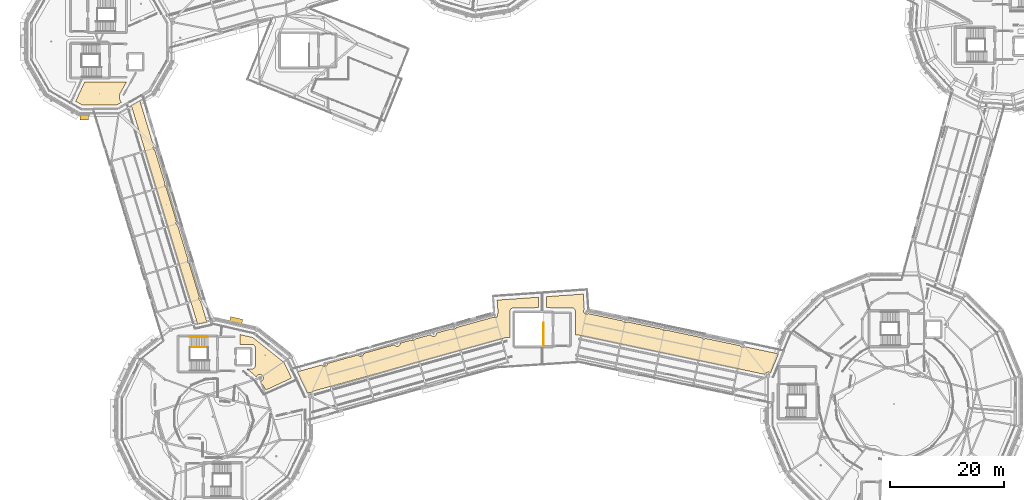
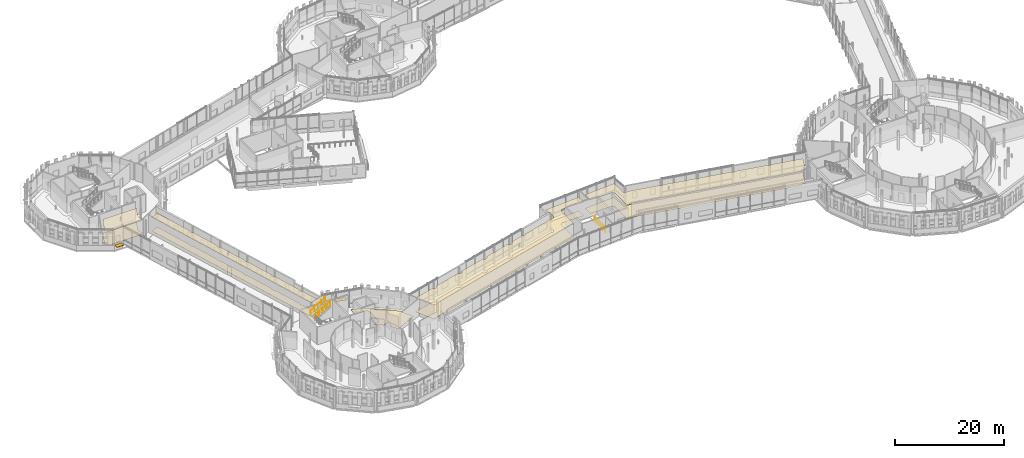
# One storey, part 119 of 125: 9 coverings, 3 railings, 2 shading devices.
"""IFC4 building model written with IfcOpenShell, lengths in metres."""

from ifc_helpers import new_model, si_unit, direction, frame, origin, origin_2d, place, context, subcontext, project, spatial, polyline, rectangle, circle, outline, extrude, material, layer, layer_set, type_object, element, save


model = new_model("IFC4")

# Units and contexts
model_context = context("Model", 3, precision=1e-05, world=origin(), true_north=direction((0.0, 1.0)))
body_context = subcontext(model_context, "Body", "Model", "MODEL_VIEW")
ifc_project = project(units=[si_unit("LENGTHUNIT", "METRE"), si_unit("AREAUNIT", "SQUARE_METRE"), si_unit("VOLUMEUNIT", "CUBIC_METRE"), si_unit("PLANEANGLEUNIT", "RADIAN"), si_unit("MASSUNIT", "GRAM", prefix="KILO")], contexts=[model_context])

# Site, building, storey
site_placement = place(None, origin())
site = spatial("IfcSite", under=ifc_project, at=site_placement, CompositionType="ELEMENT")
building_placement = place(site_placement, origin())
building = spatial("IfcBuilding", under=site, at=building_placement, Name="Wrenclough Park School", CompositionType="ELEMENT")
storey_placement = place(building_placement, frame((0.0, 0.0, 4.199951171875)))
storey = spatial("IfcBuildingStorey", under=building, at=storey_placement, Name="L01", CompositionType="ELEMENT", Elevation=4.199951171875)

# Shading devices
ifc_material_1 = material(Name="Anodised extruded aluminium solar louvre", Category="aluminium")
ifc_layer_1 = layer(ifc_material_1, 0.06005859375)
ifc_layer_set_1 = layer_set([ifc_layer_1], Name="Anodised extruded aluminium solar louvre")
shading_device_type = type_object("IfcShadingDeviceType", Name="ENV-SL-02", PredefinedType="JALOUSIE", material=ifc_layer_set_1)
shading_device_1_placement = place(storey_placement, frame((40.414794921875, 40.652587890625, 1.030029296875), z_axis=(0.0, 0.0, 1.0), x_axis=(-0.974926809846, 0.222525763552, 0.0)))
element("IfcShadingDevice", 1, at=shading_device_1_placement, inside=storey, type_object=shading_device_type, Name="D2 L01 sun-side aluminium solar louvre 017", PredefinedType="JALOUSIE", context=body_context, shape_type="SweptSolid", body=[
    extrude(rectangle(XDim=2.199951171875, YDim=0.8798828125, at=origin_2d()), origin(), (0.0, 0.0, 1.0), 0.06005859375),
])
shading_device_2_placement = place(storey_placement, frame((13.85595703125, 76.123291015625, 1.030029296875), z_axis=(0.0, 0.0, 1.0), x_axis=(1.0, 0.0, 0.0)))
element("IfcShadingDevice", 2, at=shading_device_2_placement, inside=storey, type_object=shading_device_type, Name="D3 L01 sun-side aluminium solar louvre 023", PredefinedType="JALOUSIE", context=body_context, shape_type="SweptSolid", body=[
    extrude(rectangle(XDim=1.451416015625, YDim=0.8798828125, at=origin_2d()), origin(), (0.0, 0.0, 1.0), 0.06005859375),
])

# Coverings
ifc_material_2 = material(Name="Class A mineral-fibre acoustic ceiling raft", Category="gypsum")
ifc_layer_2 = layer(ifc_material_2, 0.044921875)
ifc_layer_set_2 = layer_set([ifc_layer_2], Name="Class A mineral-fibre acoustic ceiling raft")
covering_type_1 = type_object("IfcCoveringType", Name="INT-COV-CEIL", PredefinedType="CEILING", material=ifc_layer_set_2)
covering_1_placement = place(storey_placement, frame((0.0, 0.0, 3.054931640625)))
element("IfcCovering", 3, at=covering_1_placement, inside=storey, type_object=covering_type_1, Name="Electronics Science Laboratory acoustic ceiling raft", PredefinedType="CEILING", context=body_context, shape_type="SweptSolid", body=[
    extrude(outline(polyline([(21.211669921875, 82.330078125), (13.89599609375, 82.330078125), (12.34130859375, 78.996337890625), (13.505615234375, 78.32421875), (19.494384765625, 78.32421875), (20.329833984375, 78.806396484375), (20.28125, 78.881103515625), (20.1171875, 79.189453125), (20.09228515625, 79.263671875), (20.025634765625, 79.525390625), (20.0068359375, 79.78076171875), (20.006591796875, 79.8564453125), (20.015380859375, 79.931884765625), (20.07861328125, 80.27001953125), (20.10302734375, 80.3388671875), (20.135009765625, 80.404541015625), (21.211669921875, 82.330078125)])), origin(), (0.0, 0.0, 1.0), 0.045166015625),
])
covering_2_placement = place(storey_placement, frame((0.0, 0.0, 3.054931640625)))
element("IfcCovering", 4, at=covering_2_placement, inside=storey, type_object=covering_type_1, Name="Drama Tutorial Classroom acoustic ceiling raft", PredefinedType="CEILING", context=body_context, shape_type="SweptSolid", body=[
    extrude(outline(polyline([(88.282470703125, 37.652099609375), (88.330078125, 37.64111328125), (88.330078125, 42.219970703125), (88.342529296875, 42.3466796875), (88.35791015625, 42.40869140625), (88.37939453125, 42.46875), (88.439453125, 42.5810546875), (88.4775390625, 42.63232421875), (88.567626953125, 42.722412109375), (88.673583984375, 42.793212890625), (88.791259765625, 42.842041015625), (88.916259765625, 42.866943359375), (93.35009765625, 42.8701171875), (93.35009765625, 44.71826171875), (86.081298828125, 44.209716796875), (86.225830078125, 42.142578125), (86.226806640625, 42.068603515625), (86.21923828125, 41.994873046875), (86.20361328125, 41.922607421875), (86.164794921875, 41.78515625), (86.182373046875, 41.6943359375), (86.182373046875, 41.591552734375), (86.1748046875, 41.54052734375), (86.14501953125, 41.442138671875), (86.096435546875, 41.351318359375), (86.031005859375, 41.27197265625), (85.95166015625, 41.20654296875), (85.86083984375, 41.158203125), (85.812255859375, 41.140869140625), (85.71142578125, 41.12060546875), (85.608642578125, 41.12060546875), (85.5078125, 41.140869140625), (85.459228515625, 41.158203125), (85.376708984375, 41.20166015625), (78.94189453125, 39.410888671875), (78.877685546875, 39.31005859375), (78.804931640625, 39.2373046875), (78.719482421875, 39.18017578125), (78.624267578125, 39.140869140625), (78.5234375, 39.12060546875), (78.420654296875, 39.12060546875), (78.319580078125, 39.140869140625), (78.271240234375, 39.158203125), (78.189208984375, 39.201416015625), (75.474853515625, 38.446044921875), (75.478759765625, 38.385009765625), (75.46875, 38.28271484375), (75.43896484375, 38.18408203125), (75.390380859375, 38.093505859375), (75.3251953125, 38.013916015625), (75.286865234375, 37.979248046875), (75.201416015625, 37.922119140625), (75.106201171875, 37.8828125), (75.00537109375, 37.86279296875), (74.902587890625, 37.86279296875), (74.8017578125, 37.8828125), (74.753173828125, 37.900146484375), (74.662353515625, 37.948486328125), (74.5830078125, 38.013916015625), (74.517578125, 38.093505859375), (74.476806640625, 38.168212890625), (71.7548828125, 37.410888671875), (71.690673828125, 37.31005859375), (71.617919921875, 37.2373046875), (71.532470703125, 37.18017578125), (71.437255859375, 37.140869140625), (71.33642578125, 37.12060546875), (71.233642578125, 37.12060546875), (71.1328125, 37.140869140625), (71.084228515625, 37.158203125), (71.002197265625, 37.201416015625), (69.113525390625, 36.67578125), (69.11328125, 36.57861328125), (69.09326171875, 36.477783203125), (69.0537109375, 36.382568359375), (69.02734375, 36.33837890625), (68.962158203125, 36.2587890625), (68.923828125, 36.224365234375), (68.83837890625, 36.167236328125), (68.743408203125, 36.127685546875), (68.642333984375, 36.107666015625), (68.53955078125, 36.107666015625), (68.438720703125, 36.127685546875), (68.39013671875, 36.14501953125), (68.29931640625, 36.193603515625), (68.219970703125, 36.2587890625), (68.154541015625, 36.33837890625), (68.120361328125, 36.3994140625), (62.752197265625, 34.905517578125), (62.751220703125, 34.823486328125), (62.731201171875, 34.72265625), (62.69189453125, 34.627685546875), (62.665283203125, 34.58349609375), (62.634765625, 34.5419921875), (62.56201171875, 34.46923828125), (62.476318359375, 34.412109375), (62.38134765625, 34.372802734375), (62.280517578125, 34.352783203125), (62.177490234375, 34.352783203125), (62.07666015625, 34.372802734375), (62.0283203125, 34.39013671875), (61.9375, 34.438720703125), (61.85791015625, 34.50390625), (61.79248046875, 34.58349609375), (61.764892578125, 34.630615234375), (56.39013671875, 33.134765625), (56.38818359375, 33.068603515625), (56.3681640625, 32.9677734375), (56.328857421875, 32.87255859375), (56.302490234375, 32.828369140625), (56.271728515625, 32.787109375), (56.198974609375, 32.71435546875), (56.11328125, 32.6572265625), (56.018310546875, 32.617919921875), (55.91748046875, 32.59765625), (55.814697265625, 32.59765625), (55.713623046875, 32.617919921875), (55.665283203125, 32.635009765625), (55.61865234375, 32.6572265625), (55.533203125, 32.71435546875), (55.460205078125, 32.787109375), (55.409423828125, 32.862060546875), (51.088134765625, 31.659423828125), (52.890869140625, 27.91650390625), (52.978515625, 27.972900390625), (53.04248046875, 28.003173828125), (53.177490234375, 28.044189453125), (53.318115234375, 28.05810546875), (53.388671875, 28.054443359375), (53.485595703125, 28.037353515625), (53.7041015625, 28.17724609375), (54.022705078125, 28.30322265625), (87.60693359375, 37.64404296875), (87.666748046875, 37.65771484375), (87.7890625, 37.66796875), (88.17041015625, 37.6630859375), (88.282470703125, 37.652099609375)])), origin(), (0.0, 0.0, 1.0), 0.045166015625),
])
covering_3_placement = place(storey_placement, frame((0.0, 0.0, 3.054931640625)))
element("IfcCovering", 5, at=covering_3_placement, inside=storey, type_object=covering_type_1, Name="Music Group Studio acoustic ceiling raft", PredefinedType="CEILING", context=body_context, shape_type="SweptSolid", body=[
    extrude(outline(polyline([(99.77001953125, 42.219970703125), (99.77001953125, 38.04833984375), (99.845703125, 38.067626953125), (99.972412109375, 38.078125), (100.35400390625, 38.07275390625), (100.47900390625, 38.058837890625), (132.844970703125, 31.21728515625), (132.92431640625, 31.3369140625), (133.024169921875, 31.4365234375), (133.1416015625, 31.514892578125), (133.20556640625, 31.545166015625), (133.340576171875, 31.586181640625), (133.48095703125, 31.60009765625), (133.62158203125, 31.586181640625), (133.756591796875, 31.545166015625), (133.8203125, 31.514892578125), (133.920166015625, 31.44970703125), (135.309326171875, 34.80517578125), (129.365234375, 36.061767578125), (129.2568359375, 36.0), (129.158447265625, 35.97021484375), (129.055908203125, 35.960205078125), (128.95361328125, 35.97021484375), (128.855224609375, 36.0), (128.764404296875, 36.048583984375), (128.684814453125, 36.114013671875), (128.650390625, 36.152099609375), (128.601806640625, 36.22314453125), (122.53271484375, 37.506103515625), (122.423828125, 37.444091796875), (122.325439453125, 37.414306640625), (122.222900390625, 37.404296875), (122.12060546875, 37.414306640625), (122.022216796875, 37.444091796875), (121.931396484375, 37.49267578125), (121.851806640625, 37.557861328125), (121.8173828125, 37.59619140625), (121.7685546875, 37.66748046875), (115.697998046875, 38.95068359375), (115.58984375, 38.88916015625), (115.491455078125, 38.859375), (115.388916015625, 38.84912109375), (115.28662109375, 38.859375), (115.188232421875, 38.88916015625), (115.097412109375, 38.9375), (115.017822265625, 39.0029296875), (114.9833984375, 39.041015625), (114.934814453125, 39.112060546875), (108.865478515625, 40.39501953125), (108.7568359375, 40.3330078125), (108.658447265625, 40.30322265625), (108.555908203125, 40.293212890625), (108.45361328125, 40.30322265625), (108.355224609375, 40.3330078125), (108.264404296875, 40.381591796875), (108.184814453125, 40.447021484375), (108.150390625, 40.485107421875), (108.101806640625, 40.556396484375), (102.03173828125, 41.83935546875), (101.923828125, 41.778076171875), (101.825439453125, 41.748291015625), (101.7744140625, 41.74072265625), (101.671630859375, 41.74072265625), (101.57080078125, 41.7607421875), (101.4755859375, 41.80029296875), (101.431396484375, 41.82666015625), (101.351806640625, 41.891845703125), (101.3173828125, 41.93017578125), (101.26025390625, 42.015625), (101.238037109375, 42.062255859375), (101.208251953125, 42.16064453125), (101.20068359375, 42.211669921875), (101.20068359375, 42.314453125), (101.220703125, 42.415283203125), (101.26025390625, 42.510498046875), (101.330322265625, 42.6103515625), (101.144287109375, 45.26318359375), (94.75, 44.816162109375), (94.75, 42.8701171875), (99.18359375, 42.866943359375), (99.30859375, 42.842041015625), (99.426513671875, 42.793212890625), (99.532470703125, 42.722412109375), (99.62255859375, 42.63232421875), (99.693115234375, 42.5263671875), (99.741943359375, 42.40869140625), (99.757568359375, 42.3466796875), (99.77001953125, 42.219970703125)])), origin(), (0.0, 0.0, 1.0), 0.045166015625),
])
covering_4_placement = place(storey_placement, frame((0.0, 0.0, 3.054931640625)))
element("IfcCovering", 6, at=covering_4_placement, inside=storey, type_object=covering_type_1, Name="Design Tutorial Studio L01 acoustic ceiling raft", PredefinedType="CEILING", context=body_context, shape_type="SweptSolid", body=[
    extrude(outline(polyline([(33.681884765625, 39.9697265625), (35.314697265625, 40.34228515625), (34.201904296875, 44.01416015625), (34.13232421875, 44.052490234375), (34.091064453125, 44.083251953125), (34.018310546875, 44.156005859375), (33.961181640625, 44.24169921875), (33.921875, 44.336669921875), (33.901611328125, 44.4375), (33.901611328125, 44.540283203125), (33.921875, 44.641357421875), (33.939208984375, 44.689697265625), (33.975830078125, 44.7607421875), (32.201904296875, 50.614013671875), (32.13232421875, 50.652587890625), (32.091064453125, 50.683349609375), (32.018310546875, 50.756103515625), (31.961181640625, 50.841552734375), (31.921875, 50.936767578125), (31.901611328125, 51.03759765625), (31.901611328125, 51.140380859375), (31.921875, 51.2412109375), (31.939208984375, 51.289794921875), (31.975830078125, 51.36083984375), (30.201904296875, 57.214111328125), (30.13232421875, 57.252685546875), (30.091064453125, 57.283203125), (30.018310546875, 57.356201171875), (29.961181640625, 57.441650390625), (29.921875, 57.53662109375), (29.901611328125, 57.6376953125), (29.901611328125, 57.740478515625), (29.921875, 57.84130859375), (29.939208984375, 57.889892578125), (29.975830078125, 57.960693359375), (28.201904296875, 63.814208984375), (28.13232421875, 63.8525390625), (28.091064453125, 63.88330078125), (28.018310546875, 63.9560546875), (27.961181640625, 64.04150390625), (27.921875, 64.13671875), (27.901611328125, 64.237548828125), (27.901611328125, 64.34033203125), (27.921875, 64.44140625), (27.939208984375, 64.48974609375), (27.975830078125, 64.560791015625), (26.201904296875, 70.414306640625), (26.13232421875, 70.45263671875), (26.091064453125, 70.4833984375), (26.018310546875, 70.55615234375), (25.961181640625, 70.6416015625), (25.921875, 70.73681640625), (25.901611328125, 70.837646484375), (25.901611328125, 70.9404296875), (25.921875, 71.041259765625), (25.939208984375, 71.08984375), (25.975830078125, 71.160888671875), (23.565185546875, 79.115478515625), (22.076416015625, 78.256103515625), (33.681884765625, 39.9697265625)])), origin(), (0.0, 0.0, 1.0), 0.045166015625),
])
ifc_material_3 = material(Name="Acoustic natural linoleum school flooring", Category="wood")
ifc_layer_3 = layer(ifc_material_3, 0.014892578125)
ifc_layer_set_3 = layer_set([ifc_layer_3], Name="Acoustic natural linoleum school flooring")
covering_type_2 = type_object("IfcCoveringType", Name="INT-COV-FLOOR1", PredefinedType="FLOORING", material=ifc_layer_set_3)
covering_5_placement = place(storey_placement, origin())
element("IfcCovering", 7, at=covering_5_placement, inside=storey, type_object=covering_type_2, Name="Performing Arts Staff Office floor finish", PredefinedType="FLOORING", context=body_context, shape_type="SweptSolid", body=[
    extrude(outline(polyline([(43.1201171875, 32.1298828125), (42.274169921875, 32.1298828125), (42.819580078125, 31.758056640625), (43.314208984375, 31.35498046875), (43.81689453125, 30.888916015625), (43.977783203125, 30.72021484375), (44.0087890625, 30.820068359375), (44.0341796875, 30.873779296875), (44.100341796875, 30.97265625), (44.140380859375, 31.0166015625), (44.184326171875, 31.056640625), (44.283203125, 31.122802734375), (44.3369140625, 31.148193359375), (44.45068359375, 31.1826171875), (44.569091796875, 31.1943359375), (44.62841796875, 31.19140625), (44.687255859375, 31.1826171875), (44.801025390625, 31.148193359375), (44.90576171875, 31.092041015625), (44.95361328125, 31.056640625), (45.03759765625, 30.97265625), (45.072998046875, 30.9248046875), (45.129150390625, 30.820068359375), (45.163818359375, 30.706298828125), (45.17236328125, 30.6474609375), (45.17236328125, 30.528564453125), (45.163818359375, 30.4697265625), (45.129150390625, 30.35595703125), (45.103759765625, 30.30224609375), (45.03759765625, 30.203369140625), (44.997802734375, 30.1591796875), (44.90576171875, 30.083984375), (44.854736328125, 30.05322265625), (44.7451171875, 30.0078125), (44.623291015625, 29.984375), (44.780517578125, 29.790283203125), (45.17431640625, 29.235107421875), (45.509765625, 28.6923828125), (45.6259765625, 28.472900390625), (50.1162109375, 30.56640625), (48.796630859375, 33.306396484375), (43.32421875, 37.670654296875), (41.046630859375, 38.1904296875), (41.06689453125, 38.083740234375), (41.070068359375, 38.02001953125), (41.070068359375, 36.469970703125), (43.1201171875, 36.469970703125), (43.246826171875, 36.45751953125), (43.30859375, 36.44189453125), (43.426513671875, 36.393310546875), (43.532470703125, 36.322509765625), (43.57958984375, 36.279541015625), (43.62255859375, 36.232421875), (43.693115234375, 36.12646484375), (43.741943359375, 36.0087890625), (43.766845703125, 35.8837890625), (43.77001953125, 35.820068359375), (43.77001953125, 32.780029296875), (43.757568359375, 32.6533203125), (43.720458984375, 32.53125), (43.693115234375, 32.4736328125), (43.62255859375, 32.36767578125), (43.532470703125, 32.277587890625), (43.426513671875, 32.206787109375), (43.36865234375, 32.179443359375), (43.246826171875, 32.142578125), (43.1201171875, 32.1298828125)])), origin(), (0.0, 0.0, 1.0), 0.01513671875),
])
covering_6_placement = place(storey_placement, origin())
element("IfcCovering", 8, at=covering_6_placement, inside=storey, type_object=covering_type_2, Name="Electronics Science Laboratory floor finish", PredefinedType="FLOORING", context=body_context, shape_type="SweptSolid", body=[
    extrude(outline(polyline([(21.211669921875, 82.330078125), (13.89599609375, 82.330078125), (12.34130859375, 78.996337890625), (13.505615234375, 78.32421875), (19.494384765625, 78.32421875), (20.329833984375, 78.806396484375), (20.28125, 78.881103515625), (20.1171875, 79.189453125), (20.09228515625, 79.263671875), (20.025634765625, 79.525390625), (20.0068359375, 79.78076171875), (20.006591796875, 79.8564453125), (20.015380859375, 79.931884765625), (20.07861328125, 80.27001953125), (20.10302734375, 80.3388671875), (20.135009765625, 80.404541015625), (21.211669921875, 82.330078125)])), origin(), (0.0, 0.0, 1.0), 0.01513671875),
])
covering_7_placement = place(storey_placement, origin())
element("IfcCovering", 9, at=covering_7_placement, inside=storey, type_object=covering_type_2, Name="Drama Tutorial Classroom floor finish", PredefinedType="FLOORING", context=body_context, shape_type="SweptSolid", body=[
    extrude(outline(polyline([(88.282470703125, 37.652099609375), (88.330078125, 37.64111328125), (88.330078125, 42.219970703125), (88.342529296875, 42.3466796875), (88.35791015625, 42.40869140625), (88.37939453125, 42.46875), (88.439453125, 42.5810546875), (88.4775390625, 42.63232421875), (88.567626953125, 42.722412109375), (88.673583984375, 42.793212890625), (88.791259765625, 42.842041015625), (88.916259765625, 42.866943359375), (93.35009765625, 42.8701171875), (93.35009765625, 44.71826171875), (86.081298828125, 44.209716796875), (86.225830078125, 42.142578125), (86.226806640625, 42.068603515625), (86.21923828125, 41.994873046875), (86.20361328125, 41.922607421875), (86.164794921875, 41.78515625), (86.182373046875, 41.6943359375), (86.182373046875, 41.591552734375), (86.1748046875, 41.54052734375), (86.14501953125, 41.442138671875), (86.096435546875, 41.351318359375), (86.031005859375, 41.27197265625), (85.95166015625, 41.20654296875), (85.86083984375, 41.158203125), (85.812255859375, 41.140869140625), (85.71142578125, 41.12060546875), (85.608642578125, 41.12060546875), (85.5078125, 41.140869140625), (85.459228515625, 41.158203125), (85.376708984375, 41.20166015625), (78.94189453125, 39.410888671875), (78.877685546875, 39.31005859375), (78.804931640625, 39.2373046875), (78.719482421875, 39.18017578125), (78.624267578125, 39.140869140625), (78.5234375, 39.12060546875), (78.420654296875, 39.12060546875), (78.319580078125, 39.140869140625), (78.271240234375, 39.158203125), (78.189208984375, 39.201416015625), (75.474853515625, 38.446044921875), (75.478759765625, 38.385009765625), (75.46875, 38.28271484375), (75.43896484375, 38.18408203125), (75.390380859375, 38.093505859375), (75.3251953125, 38.013916015625), (75.286865234375, 37.979248046875), (75.201416015625, 37.922119140625), (75.106201171875, 37.8828125), (75.00537109375, 37.86279296875), (74.902587890625, 37.86279296875), (74.8017578125, 37.8828125), (74.753173828125, 37.900146484375), (74.662353515625, 37.948486328125), (74.5830078125, 38.013916015625), (74.517578125, 38.093505859375), (74.476806640625, 38.168212890625), (71.7548828125, 37.410888671875), (71.690673828125, 37.31005859375), (71.617919921875, 37.2373046875), (71.532470703125, 37.18017578125), (71.437255859375, 37.140869140625), (71.33642578125, 37.12060546875), (71.233642578125, 37.12060546875), (71.1328125, 37.140869140625), (71.084228515625, 37.158203125), (71.002197265625, 37.201416015625), (69.113525390625, 36.67578125), (69.11328125, 36.57861328125), (69.09326171875, 36.477783203125), (69.0537109375, 36.382568359375), (69.02734375, 36.33837890625), (68.962158203125, 36.2587890625), (68.923828125, 36.224365234375), (68.83837890625, 36.167236328125), (68.743408203125, 36.127685546875), (68.642333984375, 36.107666015625), (68.53955078125, 36.107666015625), (68.438720703125, 36.127685546875), (68.39013671875, 36.14501953125), (68.29931640625, 36.193603515625), (68.219970703125, 36.2587890625), (68.154541015625, 36.33837890625), (68.120361328125, 36.3994140625), (62.752197265625, 34.905517578125), (62.751220703125, 34.823486328125), (62.731201171875, 34.72265625), (62.69189453125, 34.627685546875), (62.665283203125, 34.58349609375), (62.634765625, 34.5419921875), (62.56201171875, 34.46923828125), (62.476318359375, 34.412109375), (62.38134765625, 34.372802734375), (62.280517578125, 34.352783203125), (62.177490234375, 34.352783203125), (62.07666015625, 34.372802734375), (62.0283203125, 34.39013671875), (61.9375, 34.438720703125), (61.85791015625, 34.50390625), (61.79248046875, 34.58349609375), (61.764892578125, 34.630615234375), (56.39013671875, 33.134765625), (56.38818359375, 33.068603515625), (56.3681640625, 32.9677734375), (56.328857421875, 32.87255859375), (56.302490234375, 32.828369140625), (56.271728515625, 32.787109375), (56.198974609375, 32.71435546875), (56.11328125, 32.6572265625), (56.018310546875, 32.617919921875), (55.91748046875, 32.59765625), (55.814697265625, 32.59765625), (55.713623046875, 32.617919921875), (55.665283203125, 32.635009765625), (55.61865234375, 32.6572265625), (55.533203125, 32.71435546875), (55.460205078125, 32.787109375), (55.409423828125, 32.862060546875), (51.088134765625, 31.659423828125), (52.890869140625, 27.91650390625), (52.978515625, 27.972900390625), (53.04248046875, 28.003173828125), (53.177490234375, 28.044189453125), (53.318115234375, 28.05810546875), (53.388671875, 28.054443359375), (53.485595703125, 28.037353515625), (53.7041015625, 28.17724609375), (54.022705078125, 28.30322265625), (87.60693359375, 37.64404296875), (87.666748046875, 37.65771484375), (87.7890625, 37.66796875), (88.17041015625, 37.6630859375), (88.282470703125, 37.652099609375)])), origin(), (0.0, 0.0, 1.0), 0.01513671875),
])
covering_8_placement = place(storey_placement, origin())
element("IfcCovering", 10, at=covering_8_placement, inside=storey, type_object=covering_type_2, Name="Music Group Studio floor finish", PredefinedType="FLOORING", context=body_context, shape_type="SweptSolid", body=[
    extrude(outline(polyline([(99.77001953125, 42.219970703125), (99.77001953125, 38.04833984375), (99.845703125, 38.067626953125), (99.972412109375, 38.078125), (100.35400390625, 38.07275390625), (100.47900390625, 38.058837890625), (132.844970703125, 31.21728515625), (132.92431640625, 31.3369140625), (133.024169921875, 31.4365234375), (133.1416015625, 31.514892578125), (133.20556640625, 31.545166015625), (133.340576171875, 31.586181640625), (133.48095703125, 31.60009765625), (133.62158203125, 31.586181640625), (133.756591796875, 31.545166015625), (133.8203125, 31.514892578125), (133.920166015625, 31.44970703125), (135.309326171875, 34.80517578125), (129.365234375, 36.061767578125), (129.2568359375, 36.0), (129.158447265625, 35.97021484375), (129.055908203125, 35.960205078125), (128.95361328125, 35.97021484375), (128.855224609375, 36.0), (128.764404296875, 36.048583984375), (128.684814453125, 36.114013671875), (128.650390625, 36.152099609375), (128.601806640625, 36.22314453125), (122.53271484375, 37.506103515625), (122.423828125, 37.444091796875), (122.325439453125, 37.414306640625), (122.222900390625, 37.404296875), (122.12060546875, 37.414306640625), (122.022216796875, 37.444091796875), (121.931396484375, 37.49267578125), (121.851806640625, 37.557861328125), (121.8173828125, 37.59619140625), (121.7685546875, 37.66748046875), (115.697998046875, 38.95068359375), (115.58984375, 38.88916015625), (115.491455078125, 38.859375), (115.388916015625, 38.84912109375), (115.28662109375, 38.859375), (115.188232421875, 38.88916015625), (115.097412109375, 38.9375), (115.017822265625, 39.0029296875), (114.9833984375, 39.041015625), (114.934814453125, 39.112060546875), (108.865478515625, 40.39501953125), (108.7568359375, 40.3330078125), (108.658447265625, 40.30322265625), (108.555908203125, 40.293212890625), (108.45361328125, 40.30322265625), (108.355224609375, 40.3330078125), (108.264404296875, 40.381591796875), (108.184814453125, 40.447021484375), (108.150390625, 40.485107421875), (108.101806640625, 40.556396484375), (102.03173828125, 41.83935546875), (101.923828125, 41.778076171875), (101.825439453125, 41.748291015625), (101.7744140625, 41.74072265625), (101.671630859375, 41.74072265625), (101.57080078125, 41.7607421875), (101.4755859375, 41.80029296875), (101.431396484375, 41.82666015625), (101.351806640625, 41.891845703125), (101.3173828125, 41.93017578125), (101.26025390625, 42.015625), (101.238037109375, 42.062255859375), (101.208251953125, 42.16064453125), (101.20068359375, 42.211669921875), (101.20068359375, 42.314453125), (101.220703125, 42.415283203125), (101.26025390625, 42.510498046875), (101.330322265625, 42.6103515625), (101.144287109375, 45.26318359375), (94.75, 44.816162109375), (94.75, 42.8701171875), (99.18359375, 42.866943359375), (99.30859375, 42.842041015625), (99.426513671875, 42.793212890625), (99.532470703125, 42.722412109375), (99.62255859375, 42.63232421875), (99.693115234375, 42.5263671875), (99.741943359375, 42.40869140625), (99.757568359375, 42.3466796875), (99.77001953125, 42.219970703125)])), origin(), (0.0, 0.0, 1.0), 0.01513671875),
])
covering_9_placement = place(storey_placement, origin())
element("IfcCovering", 11, at=covering_9_placement, inside=storey, type_object=covering_type_2, Name="Design Tutorial Studio L01 floor finish", PredefinedType="FLOORING", context=body_context, shape_type="SweptSolid", body=[
    extrude(outline(polyline([(33.681884765625, 39.9697265625), (35.314697265625, 40.34228515625), (34.201904296875, 44.01416015625), (34.13232421875, 44.052490234375), (34.091064453125, 44.083251953125), (34.018310546875, 44.156005859375), (33.961181640625, 44.24169921875), (33.921875, 44.336669921875), (33.901611328125, 44.4375), (33.901611328125, 44.540283203125), (33.921875, 44.641357421875), (33.939208984375, 44.689697265625), (33.975830078125, 44.7607421875), (32.201904296875, 50.614013671875), (32.13232421875, 50.652587890625), (32.091064453125, 50.683349609375), (32.018310546875, 50.756103515625), (31.961181640625, 50.841552734375), (31.921875, 50.936767578125), (31.901611328125, 51.03759765625), (31.901611328125, 51.140380859375), (31.921875, 51.2412109375), (31.939208984375, 51.289794921875), (31.975830078125, 51.36083984375), (30.201904296875, 57.214111328125), (30.13232421875, 57.252685546875), (30.091064453125, 57.283203125), (30.018310546875, 57.356201171875), (29.961181640625, 57.441650390625), (29.921875, 57.53662109375), (29.901611328125, 57.6376953125), (29.901611328125, 57.740478515625), (29.921875, 57.84130859375), (29.939208984375, 57.889892578125), (29.975830078125, 57.960693359375), (28.201904296875, 63.814208984375), (28.13232421875, 63.8525390625), (28.091064453125, 63.88330078125), (28.018310546875, 63.9560546875), (27.961181640625, 64.04150390625), (27.921875, 64.13671875), (27.901611328125, 64.237548828125), (27.901611328125, 64.34033203125), (27.921875, 64.44140625), (27.939208984375, 64.48974609375), (27.975830078125, 64.560791015625), (26.201904296875, 70.414306640625), (26.13232421875, 70.45263671875), (26.091064453125, 70.4833984375), (26.018310546875, 70.55615234375), (25.961181640625, 70.6416015625), (25.921875, 70.73681640625), (25.901611328125, 70.837646484375), (25.901611328125, 70.9404296875), (25.921875, 71.041259765625), (25.939208984375, 71.08984375), (25.975830078125, 71.160888671875), (23.565185546875, 79.115478515625), (22.076416015625, 78.256103515625), (33.681884765625, 39.9697265625)])), origin(), (0.0, 0.0, 1.0), 0.01513671875),
])

# Railings
ifc_material_4 = material(Name="Powder-coated steel vertical-baluster stair and atrium guard", Category="steel")
railing_type_1 = type_object("IfcRailingType", Name="INT-RL-GD1120", PredefinedType="GUARDRAIL", material=ifc_material_4)
railing_1_placement = place(storey_placement, frame((32.320068359375, 35.949951171875, 2.35205078125)))
element("IfcRailing", 12, at=railing_1_placement, inside=storey, type_object=railing_type_1, Name="ST-02 L01 well guard 4", PredefinedType="GUARDRAIL", context=body_context, shape_type="SweptSolid", body=[
    extrude(circle(Radius=0.02392578125, at=origin_2d()), frame((0.0, 0.0, 1.09619140625), z_axis=(0.861480291558, 0.0, 0.50779100746), x_axis=(0.0, 1.0, 0.0)), (0.0, 0.0, 1.0), 3.63916015625),
    extrude(circle(Radius=0.02099609375, at=origin_2d()), origin(), (0.0, 0.0, 1.0), 1.072021484375),
    extrude(circle(Radius=0.02099609375, at=origin_2d()), frame((0.78369140625, 0.0, 0.4619140625)), (0.0, 0.0, 1.0), 1.072021484375),
    extrude(circle(Radius=0.02099609375, at=origin_2d()), frame((1.5673828125, 0.0, 0.923828125)), (0.0, 0.0, 1.0), 1.072021484375),
    extrude(circle(Radius=0.02099609375, at=origin_2d()), frame((2.351318359375, 0.0, 1.385986328125)), (0.0, 0.0, 1.0), 1.072021484375),
    extrude(circle(Radius=0.02099609375, at=origin_2d()), frame((3.135009765625, 0.0, 1.847900390625)), (0.0, 0.0, 1.0), 1.072021484375),
])
railing_2_placement = place(storey_placement, frame((94.195068359375, 36.239990234375, 0.0)))
element("IfcRailing", 13, at=railing_2_placement, inside=storey, type_object=railing_type_1, Name="ST-10 L01 top landing guard", PredefinedType="GUARDRAIL", context=body_context, shape_type="SweptSolid", body=[
    extrude(circle(Radius=0.02392578125, at=origin_2d()), frame((0.0, 0.0, 1.09619140625), z_axis=(0.0, 1.0, 0.0), x_axis=(-1.0, 0.0, 0.0)), (0.0, 0.0, 1.0), 4.010009765625),
    extrude(circle(Radius=0.02099609375, at=origin_2d()), origin(), (0.0, 0.0, 1.0), 1.072021484375),
    extrude(circle(Radius=0.02099609375, at=origin_2d()), frame((0.0, 0.802001953125, 0.0)), (0.0, 0.0, 1.0), 1.072021484375),
    extrude(circle(Radius=0.02099609375, at=origin_2d()), frame((0.0, 1.60400390625, 0.0)), (0.0, 0.0, 1.0), 1.072021484375),
    extrude(circle(Radius=0.02099609375, at=origin_2d()), frame((0.0, 2.406005859375, 0.0)), (0.0, 0.0, 1.0), 1.072021484375),
    extrude(circle(Radius=0.02099609375, at=origin_2d()), frame((0.0, 3.2080078125, 0.0)), (0.0, 0.0, 1.0), 1.072021484375),
    extrude(circle(Radius=0.02099609375, at=origin_2d()), frame((0.0, 4.010009765625, 0.0)), (0.0, 0.0, 1.0), 1.072021484375),
])
ifc_material_5 = material(Name="Brushed stainless steel tubular handrail", Category="steel")
railing_type_2 = type_object("IfcRailingType", Name="INT-RL-HR950", PredefinedType="HANDRAIL", material=ifc_material_5)
railing_3_placement = place(storey_placement, frame((32.320068359375, 37.75, 2.35205078125)))
element("IfcRailing", 14, at=railing_3_placement, inside=storey, type_object=railing_type_2, Name="ST-02 L01 pitch handrail 2", PredefinedType="HANDRAIL", context=body_context, shape_type="SweptSolid", body=[
    extrude(circle(Radius=0.02392578125, at=origin_2d()), frame((0.0, 0.0, 0.92578125), z_axis=(0.861480291558, 0.0, 0.50779100746), x_axis=(0.0, 1.0, 0.0)), (0.0, 0.0, 1.0), 3.63916015625),
    extrude(circle(Radius=0.02099609375, at=origin_2d()), origin(), (0.0, 0.0, 1.0), 0.90185546875),
    extrude(circle(Radius=0.02099609375, at=origin_2d()), frame((0.78369140625, 0.0, 0.4619140625)), (0.0, 0.0, 1.0), 0.90185546875),
    extrude(circle(Radius=0.02099609375, at=origin_2d()), frame((1.5673828125, 0.0, 0.923828125)), (0.0, 0.0, 1.0), 0.90185546875),
    extrude(circle(Radius=0.02099609375, at=origin_2d()), frame((2.351318359375, 0.0, 1.385986328125)), (0.0, 0.0, 1.0), 0.90185546875),
    extrude(circle(Radius=0.02099609375, at=origin_2d()), frame((3.135009765625, 0.0, 1.847900390625)), (0.0, 0.0, 1.0), 0.90185546875),
])

save(model, "model.ifc")
